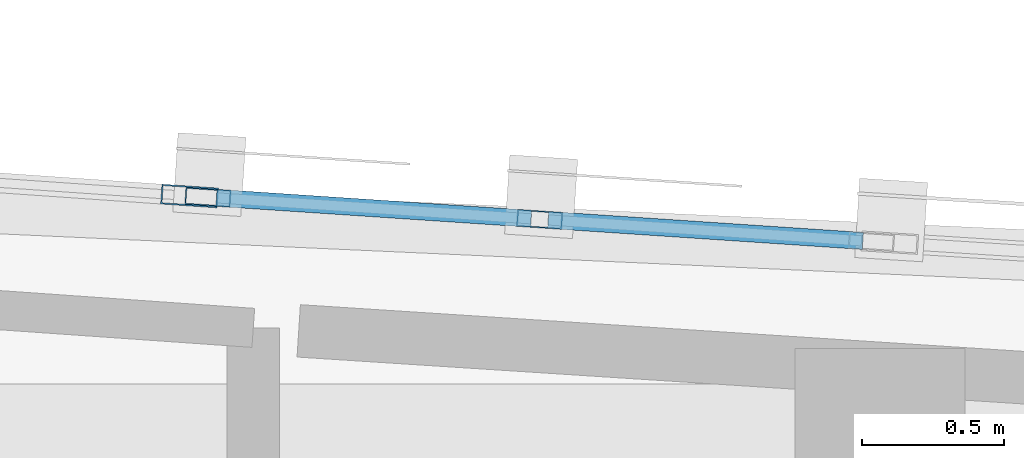
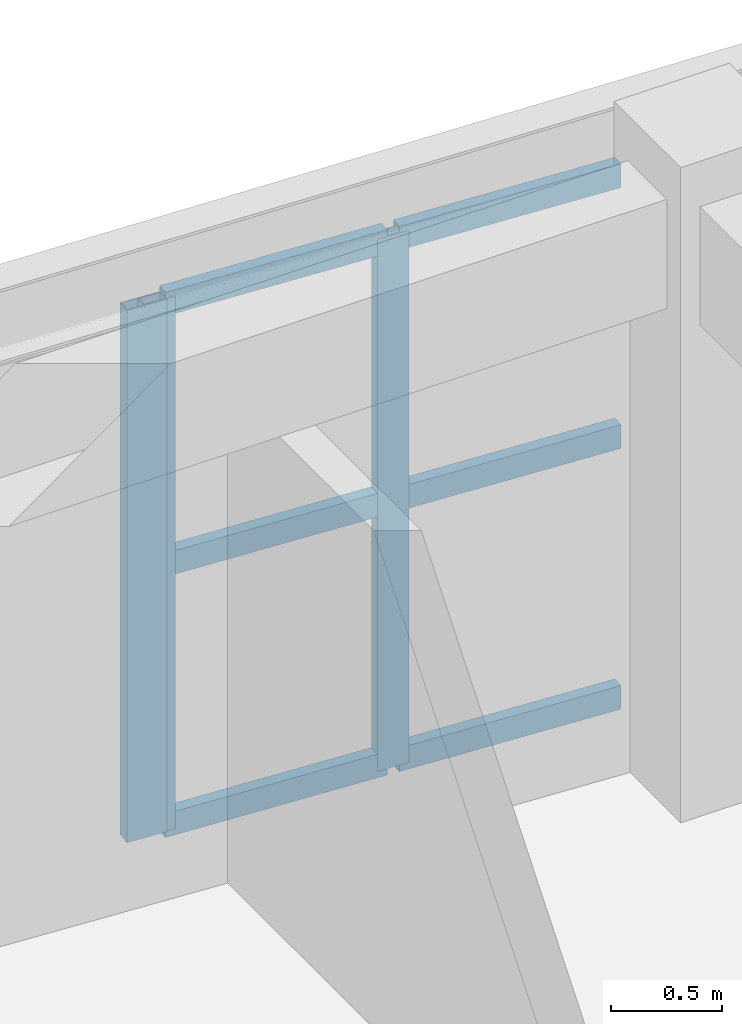
# One storey, part 38 of 73: 9 members, 2 elements without a shape of their own.
"""IFC4 building model written with IfcOpenShell, lengths in metres."""

from ifc_helpers import new_model, si_unit, direction, frame, origin, origin_2d, place, context, subcontext, project, spatial, hollow_rectangle, extrude, material, layer, layer_set, material_profile, profile_set, type_object, element, aggregate, save


model = new_model("IFC4")

# Units and contexts
model_context = context("Model", 3, precision=1e-05, world=origin(), true_north=direction((0.0, 1.0)))
body_context = subcontext(model_context, "Body", "Model", "MODEL_VIEW")
ifc_project = project(units=[si_unit("LENGTHUNIT", "METRE"), si_unit("AREAUNIT", "SQUARE_METRE"), si_unit("VOLUMEUNIT", "CUBIC_METRE"), si_unit("PLANEANGLEUNIT", "RADIAN"), si_unit("MASSUNIT", "GRAM", prefix="KILO")], contexts=[model_context])

# Site, building, storey
site_placement = place(None, origin())
site = spatial("IfcSite", under=ifc_project, at=site_placement, CompositionType="ELEMENT")
building_placement = place(site_placement, origin())
building = spatial("IfcBuilding", under=site, at=building_placement, Name="Carrowvane Square Congress Hotel", CompositionType="ELEMENT")
storey_placement = place(building_placement, frame((0.0, 0.0, 19.199951171875)))
storey = spatial("IfcBuildingStorey", under=building, at=storey_placement, Name="L04", CompositionType="ELEMENT", Elevation=19.199951171875)

# Curtain wall, members
ifc_material_1 = material(Name="Anodised aluminium", Category="aluminium")
ifc_layer_1 = layer(ifc_material_1, 0.2099609375)
ifc_layer_set_1 = layer_set([ifc_layer_1], Name="Anodised aluminium")
curtain_wall_type_1 = type_object("IfcCurtainWallType", Name="CW-SYS-5", PredefinedType="NOTDEFINED", material=ifc_layer_set_1)
curtain_wall_1_placement = place(storey_placement, origin())
curtain_wall_1 = element("IfcCurtainWall", 1, at=curtain_wall_1_placement, inside=storey, type_object=curtain_wall_type_1, Name="L04 unitised curtain wall 292", PredefinedType="NOTDEFINED")
ifc_material_2 = material(Name="Anodised aluminium", Category="aluminium")
ifc_material_profile_1 = material_profile(ifc_material_2, hollow_rectangle(XDim=0.06005859375, YDim=0.159912109375, WallThickness=0.00390625, at=origin_2d()), Name="CW-ML 60x160x4")
ifc_profile_set_1 = profile_set([ifc_material_profile_1], Name="Anodised aluminium")
member_type_1 = type_object("IfcMemberType", Name="CW-MUL-1", PredefinedType="MULLION", material=ifc_profile_set_1)
member_1_placement = place(storey_placement, frame((146.030029296875, 114.2333984375, 0.0), z_axis=(0.0, 0.0, 1.0), x_axis=(0.06657392244, 0.997781495544, 0.0)))
member_1 = element("IfcMember", 2, at=member_1_placement, type_object=member_type_1, Name="CW-5 mullion 1", PredefinedType="MULLION", context=body_context, shape_type="SweptSolid", body=[
    extrude(hollow_rectangle(XDim=0.06005859375, YDim=0.159912109375, WallThickness=0.00390625, at=origin_2d()), origin(), (0.0, 0.0, 1.0), 2.925537109375),
])
member_2_placement = place(storey_placement, frame((147.199951171875, 114.155517578125, 0.0), z_axis=(0.0, 0.0, 1.0), x_axis=(0.06657392244, 0.997781495544, 0.0)))
member_2 = element("IfcMember", 3, at=member_2_placement, type_object=member_type_1, Name="CW-5 mullion 2", PredefinedType="MULLION", context=body_context, shape_type="SweptSolid", body=[
    extrude(hollow_rectangle(XDim=0.06005859375, YDim=0.159912109375, WallThickness=0.00390625, at=origin_2d()), origin(), (0.0, 0.0, 1.0), 2.925537109375),
])

# Curtain wall, member
ifc_material_3 = material(Name="Anodised aluminium", Category="aluminium")
ifc_layer_2 = layer(ifc_material_3, 0.197998046875)
ifc_layer_set_2 = layer_set([ifc_layer_2], Name="Anodised aluminium")
curtain_wall_type_2 = type_object("IfcCurtainWallType", Name="CW-SYS-4", PredefinedType="NOTDEFINED", material=ifc_layer_set_2)
curtain_wall_2_placement = place(storey_placement, origin())
curtain_wall_2 = element("IfcCurtainWall", 4, at=curtain_wall_2_placement, inside=storey, type_object=curtain_wall_type_2, Name="L04 unitised curtain wall 291", PredefinedType="NOTDEFINED")
ifc_material_4 = material(Name="Anodised aluminium", Category="aluminium")
ifc_material_profile_2 = material_profile(ifc_material_4, hollow_rectangle(XDim=0.070068359375, YDim=0.199951171875, WallThickness=0.0048828125, at=origin_2d()), Name="CW-ML 70x200x5")
ifc_profile_set_2 = profile_set([ifc_material_profile_2], Name="Anodised aluminium")
member_type_2 = type_object("IfcMemberType", Name="CW-MUL-2", PredefinedType="MULLION", material=ifc_profile_set_2)
member_3_placement = place(storey_placement, frame((145.965087890625, 114.23779296875, 0.0), z_axis=(0.0, 0.0, 1.0), x_axis=(0.068986120725, 0.997617619706, 0.0)))
member_3 = element("IfcMember", 5, at=member_3_placement, type_object=member_type_2, Name="CW-4 mullion 2", PredefinedType="MULLION", context=body_context, shape_type="SweptSolid", body=[
    extrude(hollow_rectangle(XDim=0.070068359375, YDim=0.199951171875, WallThickness=0.0048828125, at=origin_2d()), origin(), (0.0, 0.0, 1.0), 2.925537109375),
])
aggregate(curtain_wall_2, [member_3])

# Member
ifc_material_5 = material(Name="Anodised aluminium", Category="aluminium")
ifc_material_profile_3 = material_profile(ifc_material_5, hollow_rectangle(XDim=0.06005859375, YDim=0.1298828125, WallThickness=0.00390625, at=origin_2d()), Name="CW-TR 60x130x4")
ifc_profile_set_3 = profile_set([ifc_material_profile_3], Name="Anodised aluminium")
member_type_3 = type_object("IfcMemberType", Name="CW-TRN-1", PredefinedType="USERDEFINED", material=ifc_profile_set_3)
member_4_placement = place(storey_placement, frame((146.059814453125, 114.2314453125, 0.030029296875), z_axis=(0.997788069164, -0.066475326508, 0.0), x_axis=(0.066475326508, 0.997788069164, 0.0)))
member_4 = element("IfcMember", 6, at=member_4_placement, type_object=member_type_3, Name="CW-5 transom 1.1", ObjectType="TRANSOM", PredefinedType="USERDEFINED", context=body_context, shape_type="SweptSolid", body=[
    extrude(hollow_rectangle(XDim=0.06005859375, YDim=0.1298828125, WallThickness=0.00390625, at=origin_2d()), origin(), (0.0, 0.0, 1.0), 1.11279296875),
])

member_5_placement = place(storey_placement, frame((146.059814453125, 114.2314453125, 1.462890625), z_axis=(0.997788069164, -0.066475326508, 0.0), x_axis=(0.066475326508, 0.997788069164, 0.0)))
member_5 = element("IfcMember", 7, at=member_5_placement, type_object=member_type_3, Name="CW-5 transom 1.2", ObjectType="TRANSOM", PredefinedType="USERDEFINED", context=body_context, shape_type="SweptSolid", body=[
    extrude(hollow_rectangle(XDim=0.06005859375, YDim=0.1298828125, WallThickness=0.00390625, at=origin_2d()), origin(), (0.0, 0.0, 1.0), 1.11279296875),
])

member_6_placement = place(storey_placement, frame((146.059814453125, 114.2314453125, 2.895751953125), z_axis=(0.997788069164, -0.066475326508, 0.0), x_axis=(0.066475326508, 0.997788069164, 0.0)))
member_6 = element("IfcMember", 8, at=member_6_placement, type_object=member_type_3, Name="CW-5 transom 1.3", ObjectType="TRANSOM", PredefinedType="USERDEFINED", context=body_context, shape_type="SweptSolid", body=[
    extrude(hollow_rectangle(XDim=0.06005859375, YDim=0.1298828125, WallThickness=0.00390625, at=origin_2d()), origin(), (0.0, 0.0, 1.0), 1.11279296875),
])

member_7_placement = place(storey_placement, frame((147.22998046875, 114.1533203125, 0.030029296875), z_axis=(0.997787099366, -0.066489881484, 0.0), x_axis=(0.066489881484, 0.997787099366, 0.0)))
member_7 = element("IfcMember", 9, at=member_7_placement, type_object=member_type_3, Name="CW-5 transom 2.1", ObjectType="TRANSOM", PredefinedType="USERDEFINED", context=body_context, shape_type="SweptSolid", body=[
    extrude(hollow_rectangle(XDim=0.06005859375, YDim=0.1298828125, WallThickness=0.00390625, at=origin_2d()), origin(), (0.0, 0.0, 1.0), 1.112548828125),
])

member_8_placement = place(storey_placement, frame((147.22998046875, 114.1533203125, 1.462890625), z_axis=(0.997787099366, -0.066489881484, 0.0), x_axis=(0.066489881484, 0.997787099366, 0.0)))
member_8 = element("IfcMember", 10, at=member_8_placement, type_object=member_type_3, Name="CW-5 transom 2.2", ObjectType="TRANSOM", PredefinedType="USERDEFINED", context=body_context, shape_type="SweptSolid", body=[
    extrude(hollow_rectangle(XDim=0.06005859375, YDim=0.1298828125, WallThickness=0.00390625, at=origin_2d()), origin(), (0.0, 0.0, 1.0), 1.112548828125),
])

member_9_placement = place(storey_placement, frame((147.22998046875, 114.1533203125, 2.895751953125), z_axis=(0.997787099366, -0.066489881484, 0.0), x_axis=(0.066489881484, 0.997787099366, 0.0)))
member_9 = element("IfcMember", 11, at=member_9_placement, type_object=member_type_3, Name="CW-5 transom 2.3", ObjectType="TRANSOM", PredefinedType="USERDEFINED", context=body_context, shape_type="SweptSolid", body=[
    extrude(hollow_rectangle(XDim=0.06005859375, YDim=0.1298828125, WallThickness=0.00390625, at=origin_2d()), origin(), (0.0, 0.0, 1.0), 1.112548828125),
])

aggregate(curtain_wall_1, [member_1, member_2, member_4, member_5, member_6, member_7, member_8, member_9])

save(model, "model.ifc")
